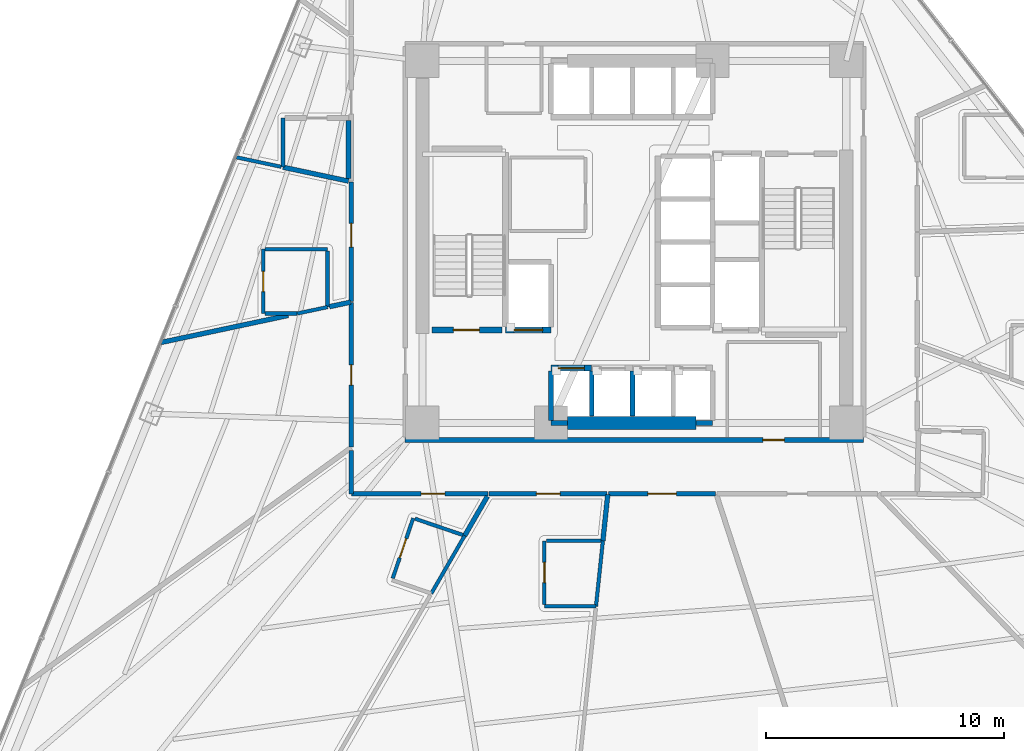
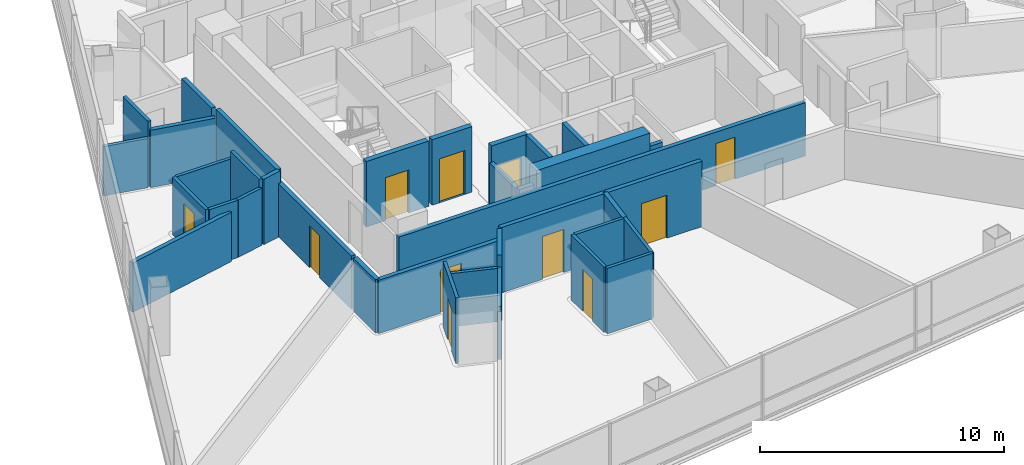
# One storey, part 7 of 15: 36 walls, 12 doors, 12 openings.
"""IFC4 building model written with IfcOpenShell, lengths in metres."""

from ifc_helpers import new_model, si_unit, direction, frame, frame_2d, origin, place, context, subcontext, project, spatial, rectangle, extrude, material, layer, layer_set, type_object, element, fill, save


model = new_model("IFC4")

# Units and contexts
model_context = context("Model", 3, precision=1e-05, world=origin(), true_north=direction((0.0, 1.0)))
body_context = subcontext(model_context, "Body", "Model", "MODEL_VIEW")
ifc_project = project(units=[si_unit("LENGTHUNIT", "METRE"), si_unit("AREAUNIT", "SQUARE_METRE"), si_unit("VOLUMEUNIT", "CUBIC_METRE"), si_unit("PLANEANGLEUNIT", "RADIAN"), si_unit("MASSUNIT", "GRAM", prefix="KILO")], contexts=[model_context])

# Site, building, storey
site_placement = place(None, origin())
site = spatial("IfcSite", under=ifc_project, at=site_placement, CompositionType="ELEMENT")
building_placement = place(site_placement, origin())
building = spatial("IfcBuilding", under=site, at=building_placement, Name="Tharavind Bronze Gate", CompositionType="ELEMENT")
storey_placement = place(building_placement, frame((0.0, 0.0, 63.85009765625)))
storey = spatial("IfcBuildingStorey", under=building, at=storey_placement, Name="L15", CompositionType="ELEMENT", Elevation=63.85009765625)

# Wall, opening, door
ifc_material_1 = material(Name="Aerated Concrete Block", Category="concrete")
ifc_layer_1 = layer(ifc_material_1, 0.199951171875)
ifc_layer_set_1 = layer_set([ifc_layer_1], Name="Aerated Concrete Block")
wall_type_1 = type_object("IfcWallType", Name="FIRE RATED PARTITION 200", PredefinedType="PARTITIONING", material=ifc_layer_set_1)
wall_1_placement = place(storey_placement, frame((-9.6201171875, -8.320068359375, 0.0), z_axis=(0.0, 0.0, 1.0), x_axis=(1.0, 0.0, 0.0)))
wall_1 = element("IfcWall", 1, at=wall_1_placement, inside=storey, type_object=wall_type_1, Name="L15 south core corridor wall", PredefinedType="PARTITIONING", context=body_context, shape_type="SweptSolid", body=[
    extrude(rectangle(XDim=19.240234375, YDim=0.199951171875, at=frame_2d((9.6201171875, 0.0))), origin(), (0.0, 0.0, 1.0), 2.669921875),
])
opening_1_placement = place(wall_1_placement, frame((15.02001953125, 0.0, 0.0)))
opening_1 = element("IfcOpeningElement", 2, at=opening_1_placement, cuts=wall_1, Name="Opening ID07", PredefinedType="OPENING", context=body_context, shape_type="SweptSolid", body=[
    extrude(rectangle(XDim=0.89990234375, YDim=2.10009765625, at=frame_2d((0.449951171875, 1.050048828125))), frame((0.0, 0.11009765625, 0.0), z_axis=(0.0, -1.0, 0.0), x_axis=(1.0, 0.0, 0.0)), (0.0, 0.0, 1.0), 0.219951171875),
])
ifc_material_2 = material(Name="Galvanised Fire Steel", Category="steel")
door_type_1 = type_object("IfcDoorType", Name="PLANT AND RISER FIRE DOOR 900X2100", OperationType="SINGLE_SWING_LEFT", PredefinedType="DOOR", material=ifc_material_2)
door_1_placement = place(opening_1_placement, origin())
door_1 = element("IfcDoor", 3, at=door_1_placement, inside=storey, type_object=door_type_1, Name="L15 Telecom Metering Room fire door", OperationType="SINGLE_SWING_LEFT", OverallHeight=2.10009765625, OverallWidth=0.89990234375, PredefinedType="DOOR", context=body_context, shape_type="SweptSolid", body=[
    extrude(rectangle(XDim=0.89990234375, YDim=2.10009765625, at=frame_2d((0.449951171875, 1.050048828125))), frame((0.0, 0.02490234375, 0.0), z_axis=(0.0, -1.0, 0.0), x_axis=(1.0, 0.0, 0.0)), (0.0, 0.0, 1.0), 0.050048828125),
])
fill(opening_1, door_1)

# Walls
wall_2_placement = place(storey_placement, frame((-12.0, 2.55078125, 0.0), z_axis=(0.0, 0.0, 1.0), x_axis=(-0.978151787969, 0.207891990447, 0.0)))
element("IfcWall", 4, at=wall_2_placement, inside=storey, type_object=wall_type_1, Name="L15 En-Suite Bathroom partition", PredefinedType="PARTITIONING", context=body_context, shape_type="SweptSolid", body=[
    extrude(rectangle(XDim=2.8115234375, YDim=0.199951171875, at=frame_2d((1.40576171875, 0.0))), origin(), (0.0, 0.0, 1.0), 2.869873046875),
])
wall_3_placement = place(storey_placement, frame((-12.0, 5.095703125, 0.0), z_axis=(0.0, 0.0, 1.0), x_axis=(0.0, -1.0, 0.0)))
element("IfcWall", 5, at=wall_3_placement, inside=storey, type_object=wall_type_1, Name="L15 En-Suite Bathroom partition", PredefinedType="PARTITIONING", context=body_context, shape_type="SweptSolid", body=[
    extrude(rectangle(XDim=2.437744140625, YDim=0.199951171875, at=frame_2d((1.21875, 0.0))), origin(), (0.0, 0.0, 1.0), 3.27490234375),
])
wall_4_placement = place(storey_placement, frame((-19.869873046875, -4.223388671875, 0.0), z_axis=(0.0, 0.0, 1.0), x_axis=(0.978154530451, 0.20787908639, 0.0)))
element("IfcWall", 6, at=wall_4_placement, inside=storey, type_object=wall_type_1, Name="L15 Public Restrooms Block partition", PredefinedType="PARTITIONING", context=body_context, shape_type="SweptSolid", body=[
    extrude(rectangle(XDim=5.45751953125, YDim=0.199951171875, at=frame_2d((2.728759765625, 0.0))), origin(), (0.0, 0.0, 1.0), 2.469970703125),
])
wall_5_placement = place(storey_placement, frame((-12.80126953125, -2.720947265625, 0.0), z_axis=(0.0, 0.0, 1.0), x_axis=(0.978138413931, 0.207954906633, 0.0)))
element("IfcWall", 7, at=wall_5_placement, inside=storey, type_object=wall_type_1, Name="L15 Public Restrooms Block partition", PredefinedType="PARTITIONING", context=body_context, shape_type="SweptSolid", body=[
    extrude(rectangle(XDim=0.9111328125, YDim=0.199951171875, at=frame_2d((0.45556640625, 0.0))), origin(), (0.0, 0.0, 1.0), 3.27490234375),
])

# Wall, opening, door
wall_6_placement = place(storey_placement, frame((-11.8798828125, -2.555908203125, 0.0), z_axis=(0.0, 0.0, 1.0), x_axis=(0.0, -1.0, 0.0)))
wall_6 = element("IfcWall", 8, at=wall_6_placement, inside=storey, type_object=wall_type_1, Name="L15 Public Restrooms Block partition", PredefinedType="PARTITIONING", context=body_context, shape_type="SweptSolid", body=[
    extrude(rectangle(XDim=6.062744140625, YDim=0.199951171875, at=frame_2d((3.03125, 0.0))), origin(), (0.0, 0.0, 1.0), 2.669921875),
])
opening_2_placement = place(wall_6_placement, frame((2.60595703125, 0.0, 0.0)))
opening_2 = element("IfcOpeningElement", 9, at=opening_2_placement, cuts=wall_6, Name="Opening ID06", PredefinedType="OPENING", context=body_context, shape_type="SweptSolid", body=[
    extrude(rectangle(XDim=0.85009765625, YDim=2.10009765625, at=frame_2d((0.425048828125, 1.050048828125))), frame((0.0, 0.11009765625, 0.0), z_axis=(0.0, -1.0, 0.0), x_axis=(1.0, 0.0, 0.0)), (0.0, 0.0, 1.0), 0.219951171875),
])
ifc_material_3 = material(Name="Moisture-Resistant Timber", Category="wood")
door_type_2 = type_object("IfcDoorType", Name="BATHROOM PRIVACY DOOR 850X2100", OperationType="SINGLE_SWING_RIGHT", PredefinedType="DOOR", material=ifc_material_3)
door_2_placement = place(opening_2_placement, origin())
door_2 = element("IfcDoor", 10, at=door_2_placement, inside=storey, type_object=door_type_2, Name="L15 Public Restrooms Block door", OperationType="SINGLE_SWING_RIGHT", OverallHeight=2.10009765625, OverallWidth=0.85009765625, PredefinedType="DOOR", context=body_context, shape_type="SweptSolid", body=[
    extrude(rectangle(XDim=0.85009765625, YDim=2.10009765625, at=frame_2d((0.425048828125, 1.050048828125))), frame((0.0, 0.02490234375, 0.0), z_axis=(0.0, -1.0, 0.0), x_axis=(1.0, 0.0, 0.0)), (0.0, 0.0, 1.0), 0.050048828125),
])
fill(opening_2, door_2)

wall_7_placement = place(storey_placement, frame((-11.8798828125, 2.5048828125, 0.0), z_axis=(0.0, 0.0, 1.0), x_axis=(0.0, -1.0, 0.0)))
wall_7 = element("IfcWall", 11, at=wall_7_placement, inside=storey, type_object=wall_type_1, Name="L15 Corner Hotel Suite partition", PredefinedType="PARTITIONING", context=body_context, shape_type="SweptSolid", body=[
    extrude(rectangle(XDim=5.009765625, YDim=0.199951171875, at=frame_2d((2.5048828125, 0.0))), origin(), (0.0, 0.0, 1.0), 3.27490234375),
])
opening_3_placement = place(wall_7_placement, frame((1.72509765625, 0.0, 0.0)))
opening_3 = element("IfcOpeningElement", 12, at=opening_3_placement, cuts=wall_7, Name="Opening ID03", PredefinedType="OPENING", context=body_context, shape_type="SweptSolid", body=[
    extrude(rectangle(XDim=1.0, YDim=2.14990234375, at=frame_2d((0.5, 1.074951171875))), frame((0.0, 0.11009765625, 0.0), z_axis=(0.0, -1.0, 0.0), x_axis=(1.0, 0.0, 0.0)), (0.0, 0.0, 1.0), 0.219951171875),
])
ifc_material_4 = material(Name="Solid Timber Veneer", Category="wood")
door_type_3 = type_object("IfcDoorType", Name="HOTEL SUITE ENTRANCE DOOR 1000X2150", OperationType="SINGLE_SWING_LEFT", PredefinedType="DOOR", material=ifc_material_4)
door_3_placement = place(opening_3_placement, origin())
door_3 = element("IfcDoor", 13, at=door_3_placement, inside=storey, type_object=door_type_3, Name="L15 Corner Hotel Suite door", OperationType="SINGLE_SWING_LEFT", OverallHeight=2.14990234375, OverallWidth=1.0, PredefinedType="DOOR", context=body_context, shape_type="SweptSolid", body=[
    extrude(rectangle(XDim=1.0, YDim=2.14990234375, at=frame_2d((0.5, 1.074951171875))), frame((0.0, 0.02490234375, 0.0), z_axis=(0.0, -1.0, 0.0), x_axis=(1.0, 0.0, 0.0)), (0.0, 0.0, 1.0), 0.050048828125),
])
fill(opening_3, door_3)

# Wall
wall_8_placement = place(storey_placement, frame((-11.8798828125, -8.760986328125, 0.0), z_axis=(0.0, 0.0, 1.0), x_axis=(0.0, -1.0, 0.0)))
element("IfcWall", 14, at=wall_8_placement, inside=storey, type_object=wall_type_1, Name="L15 Deluxe Hotel Suite partition", PredefinedType="PARTITIONING", context=body_context, shape_type="SweptSolid", body=[
    extrude(rectangle(XDim=1.818359375, YDim=0.199951171875, at=frame_2d((0.9091796875, 0.0))), origin(), (0.0, 0.0, 1.0), 2.669921875),
])

# Wall, opening, door
wall_9_placement = place(storey_placement, frame((-11.87939453125, -10.580078125, 0.0), z_axis=(0.0, 0.0, 1.0), x_axis=(1.0, 0.0, 0.0)))
wall_9 = element("IfcWall", 15, at=wall_9_placement, inside=storey, type_object=wall_type_1, Name="L15 Deluxe Hotel Suite partition", PredefinedType="PARTITIONING", context=body_context, shape_type="SweptSolid", body=[
    extrude(rectangle(XDim=5.727783203125, YDim=0.199951171875, at=frame_2d((2.86376953125, 0.0))), origin(), (0.0, 0.0, 1.0), 2.669921875),
])
opening_4_placement = place(wall_9_placement, frame((2.924072265625, 0.0, 0.0)))
opening_4 = element("IfcOpeningElement", 16, at=opening_4_placement, cuts=wall_9, Name="Opening ID03", PredefinedType="OPENING", context=body_context, shape_type="SweptSolid", body=[
    extrude(rectangle(XDim=1.0, YDim=2.14990234375, at=frame_2d((0.5, 1.074951171875))), frame((0.0, 0.11009765625, 0.0), z_axis=(0.0, -1.0, 0.0), x_axis=(1.0, 0.0, 0.0)), (0.0, 0.0, 1.0), 0.219951171875),
])
door_4_placement = place(opening_4_placement, origin())
door_4 = element("IfcDoor", 17, at=door_4_placement, inside=storey, type_object=door_type_3, Name="L15 Deluxe Hotel Suite door", OperationType="SINGLE_SWING_LEFT", OverallHeight=2.14990234375, OverallWidth=1.0, PredefinedType="DOOR", context=body_context, shape_type="SweptSolid", body=[
    extrude(rectangle(XDim=1.0, YDim=2.14990234375, at=frame_2d((0.5, 1.074951171875))), frame((0.0, 0.02490234375, 0.0), z_axis=(0.0, -1.0, 0.0), x_axis=(1.0, 0.0, 0.0)), (0.0, 0.0, 1.0), 0.050048828125),
])
fill(opening_4, door_4)

# Wall
wall_10_placement = place(storey_placement, frame((-6.1689453125, -10.68505859375, 0.0), z_axis=(0.0, 0.0, 1.0), x_axis=(-0.500029664053, -0.866008276558, 0.0)))
element("IfcWall", 18, at=wall_10_placement, inside=storey, type_object=wall_type_1, Name="L15 Deluxe Hotel Suite partition", PredefinedType="PARTITIONING", context=body_context, shape_type="SweptSolid", body=[
    extrude(rectangle(XDim=1.9033203125, YDim=0.199951171875, at=frame_2d((0.95166015625, 0.0))), origin(), (0.0, 0.0, 1.0), 3.27490234375),
])

# Wall, opening, door
wall_11_placement = place(storey_placement, frame((-6.093994140625, -10.580078125, 0.0), z_axis=(0.0, 0.0, 1.0), x_axis=(1.0, 0.0, 0.0)))
wall_11 = element("IfcWall", 19, at=wall_11_placement, inside=storey, type_object=wall_type_1, Name="L15 Deluxe Hotel Suite partition", PredefinedType="PARTITIONING", context=body_context, shape_type="SweptSolid", body=[
    extrude(rectangle(XDim=4.9541015625, YDim=0.199951171875, at=frame_2d((2.47705078125, 0.0))), origin(), (0.0, 0.0, 1.0), 3.27490234375),
])
opening_5_placement = place(wall_11_placement, frame((1.97705078125, 0.0, 0.0)))
opening_5 = element("IfcOpeningElement", 20, at=opening_5_placement, cuts=wall_11, Name="Opening ID03", PredefinedType="OPENING", context=body_context, shape_type="SweptSolid", body=[
    extrude(rectangle(XDim=1.0, YDim=2.14990234375, at=frame_2d((0.5, 1.074951171875))), frame((0.0, 0.11009765625, 0.0), z_axis=(0.0, -1.0, 0.0), x_axis=(1.0, 0.0, 0.0)), (0.0, 0.0, 1.0), 0.219951171875),
])
door_5_placement = place(opening_5_placement, origin())
door_5 = element("IfcDoor", 21, at=door_5_placement, inside=storey, type_object=door_type_3, Name="L15 Deluxe Hotel Suite door", OperationType="SINGLE_SWING_LEFT", OverallHeight=2.14990234375, OverallWidth=1.0, PredefinedType="DOOR", context=body_context, shape_type="SweptSolid", body=[
    extrude(rectangle(XDim=1.0, YDim=2.14990234375, at=frame_2d((0.5, 1.074951171875))), frame((0.0, 0.02490234375, 0.0), z_axis=(0.0, -1.0, 0.0), x_axis=(1.0, 0.0, 0.0)), (0.0, 0.0, 1.0), 0.050048828125),
])
fill(opening_5, door_5)

# Wall
wall_12_placement = place(storey_placement, frame((-1.114990234375, -10.607666015625, 0.0), z_axis=(0.0, 0.0, 1.0), x_axis=(-0.104502586471, -0.994524614789, 0.0)))
element("IfcWall", 22, at=wall_12_placement, inside=storey, type_object=wall_type_1, Name="L15 Deluxe Hotel Suite partition", PredefinedType="PARTITIONING", context=body_context, shape_type="SweptSolid", body=[
    extrude(rectangle(XDim=1.953125, YDim=0.199951171875, at=frame_2d((0.9765625, 0.0))), origin(), (0.0, 0.0, 1.0), 3.27490234375),
])

# Wall, opening, door
wall_13_placement = place(storey_placement, frame((-1.089599609375, -10.580078125, 0.0), z_axis=(0.0, 0.0, 1.0), x_axis=(1.0, 0.0, 0.0)))
wall_13 = element("IfcWall", 23, at=wall_13_placement, inside=storey, type_object=wall_type_1, Name="L15 Hotel Guest Lounge partition", PredefinedType="PARTITIONING", context=body_context, shape_type="SweptSolid", body=[
    extrude(rectangle(XDim=4.509033203125, YDim=0.199951171875, at=frame_2d((2.25439453125, 0.0))), origin(), (0.0, 0.0, 1.0), 3.27490234375),
])
opening_6_placement = place(wall_13_placement, frame((1.655029296875, 0.0, 0.0)))
opening_6 = element("IfcOpeningElement", 24, at=opening_6_placement, cuts=wall_13, Name="Opening ID05", PredefinedType="OPENING", context=body_context, shape_type="SweptSolid", body=[
    extrude(rectangle(XDim=1.199951171875, YDim=2.14990234375, at=frame_2d((0.60009765625, 1.074951171875))), frame((0.0, 0.11009765625, 0.0), z_axis=(0.0, -1.0, 0.0), x_axis=(1.0, 0.0, 0.0)), (0.0, 0.0, 1.0), 0.219951171875),
])
ifc_material_5 = material(Name="Acoustic Laminated Glass", Category="glass")
door_type_4 = type_object("IfcDoorType", Name="MEETING ROOM GLAZED DOOR 1200X2150", OperationType="SINGLE_SWING_LEFT", PredefinedType="DOOR", material=ifc_material_5)
door_6_placement = place(opening_6_placement, origin())
door_6 = element("IfcDoor", 25, at=door_6_placement, inside=storey, type_object=door_type_4, Name="L15 Hotel Guest Lounge door", OperationType="SINGLE_SWING_LEFT", OverallHeight=2.14990234375, OverallWidth=1.199951171875, PredefinedType="DOOR", context=body_context, shape_type="SweptSolid", body=[
    extrude(rectangle(XDim=1.199951171875, YDim=2.14990234375, at=frame_2d((0.60009765625, 1.074951171875))), frame((0.0, 0.02490234375, 0.0), z_axis=(0.0, -1.0, 0.0), x_axis=(1.0, 0.0, 0.0)), (0.0, 0.0, 1.0), 0.050048828125),
])
fill(opening_6, door_6)

# Wall
ifc_material_6 = material(Name="Twin Stud Acoustic Gypsum", Category="gypsum")
ifc_layer_2 = layer(ifc_material_6, 0.14990234375)
ifc_layer_set_2 = layer_set([ifc_layer_2], Name="Twin Stud Acoustic Gypsum")
wall_type_2 = type_object("IfcWallType", Name="INTERIOR PARTITION WALL 150", PredefinedType="PARTITIONING", material=ifc_layer_set_2)
wall_14_placement = place(storey_placement, frame((-14.75, 3.13525390625, 0.0), z_axis=(0.0, 0.0, 1.0), x_axis=(0.0, 1.0, 0.0)))
element("IfcWall", 26, at=wall_14_placement, inside=storey, type_object=wall_type_2, Name="L15 En-Suite Bathroom partition", PredefinedType="PARTITIONING", context=body_context, shape_type="SweptSolid", body=[
    extrude(rectangle(XDim=2.0654296875, YDim=0.14990234375, at=frame_2d((1.03271484375, 0.0))), origin(), (0.0, 0.0, 1.0), 3.27490234375),
])

# Wall, opening, door
wall_15_placement = place(storey_placement, frame((-15.581298828125, -3.0087890625, 0.0), z_axis=(0.0, 0.0, 1.0), x_axis=(0.0, 1.0, 0.0)))
wall_15 = element("IfcWall", 27, at=wall_15_placement, inside=storey, type_object=wall_type_2, Name="L15 En-Suite Bathroom partition", PredefinedType="PARTITIONING", context=body_context, shape_type="SweptSolid", body=[
    extrude(rectangle(XDim=2.699951171875, YDim=0.14990234375, at=frame_2d((1.35009765625, 0.0))), origin(), (0.0, 0.0, 1.0), 2.869873046875),
])
opening_7_placement = place(wall_15_placement, frame((0.925048828125, 0.0, 0.0)))
opening_7 = element("IfcOpeningElement", 28, at=opening_7_placement, cuts=wall_15, Name="Opening ID06", PredefinedType="OPENING", context=body_context, shape_type="SweptSolid", body=[
    extrude(rectangle(XDim=0.85009765625, YDim=2.10009765625, at=frame_2d((0.425048828125, 1.050048828125))), frame((0.0, 0.084951171875, 0.0), z_axis=(0.0, -1.0, 0.0), x_axis=(1.0, 0.0, 0.0)), (0.0, 0.0, 1.0), 0.16990234375),
])
door_7_placement = place(opening_7_placement, origin())
door_7 = element("IfcDoor", 29, at=door_7_placement, inside=storey, type_object=door_type_2, Name="L15 En-Suite Bathroom door", OperationType="SINGLE_SWING_RIGHT", OverallHeight=2.10009765625, OverallWidth=0.85009765625, PredefinedType="DOOR", context=body_context, shape_type="SweptSolid", body=[
    extrude(rectangle(XDim=0.85009765625, YDim=2.10009765625, at=frame_2d((0.425048828125, 1.050048828125))), frame((0.0, 0.02490234375, 0.0), z_axis=(0.0, -1.0, 0.0), x_axis=(1.0, 0.0, 0.0)), (0.0, 0.0, 1.0), 0.050048828125),
])
fill(opening_7, door_7)

# Walls
wall_16_placement = place(storey_placement, frame((-15.501220703125, -0.308837890625, 0.0), z_axis=(0.0, 0.0, 1.0), x_axis=(1.0, 0.0, 0.0)))
element("IfcWall", 30, at=wall_16_placement, inside=storey, type_object=wall_type_2, Name="L15 En-Suite Bathroom partition", PredefinedType="PARTITIONING", context=body_context, shape_type="SweptSolid", body=[
    extrude(rectangle(XDim=2.619873046875, YDim=0.14990234375, at=frame_2d((1.31005859375, 0.0))), origin(), (0.0, 0.0, 1.0), 2.869873046875),
])
wall_17_placement = place(storey_placement, frame((-12.88134765625, -0.388916015625, 0.0), z_axis=(0.0, 0.0, 1.0), x_axis=(0.0, -1.0, 0.0)))
element("IfcWall", 31, at=wall_17_placement, inside=storey, type_object=wall_type_2, Name="L15 En-Suite Bathroom partition", PredefinedType="PARTITIONING", context=body_context, shape_type="SweptSolid", body=[
    extrude(rectangle(XDim=2.34912109375, YDim=0.14990234375, at=frame_2d((1.174560546875, 0.0))), origin(), (0.0, 0.0, 1.0), 3.27490234375),
])
wall_18_placement = place(storey_placement, frame((-12.88134765625, -2.738037109375, 0.0), z_axis=(0.0, 0.0, 1.0), x_axis=(-0.978144076716, -0.207928269327, 0.0)))
element("IfcWall", 32, at=wall_18_placement, inside=storey, type_object=wall_type_2, Name="L15 En-Suite Bathroom partition", PredefinedType="PARTITIONING", context=body_context, shape_type="SweptSolid", body=[
    extrude(rectangle(XDim=1.30224609375, YDim=0.14990234375, at=frame_2d((0.651123046875, 0.0))), origin(), (0.0, 0.0, 1.0), 2.869873046875),
])
wall_19_placement = place(storey_placement, frame((-14.155029296875, -3.0087890625, 0.0), z_axis=(0.0, 0.0, 1.0), x_axis=(-1.0, 0.0, 0.0)))
element("IfcWall", 33, at=wall_19_placement, inside=storey, type_object=wall_type_2, Name="L15 En-Suite Bathroom partition", PredefinedType="PARTITIONING", context=body_context, shape_type="SweptSolid", body=[
    extrude(rectangle(XDim=1.34619140625, YDim=0.14990234375, at=frame_2d((0.673095703125, 0.0))), origin(), (0.0, 0.0, 1.0), 2.869873046875),
])
wall_20_placement = place(storey_placement, frame((-7.12060546875, -12.333251953125, 0.0), z_axis=(0.0, 0.0, 1.0), x_axis=(-0.499988825533, -0.86603185527, 0.0)))
element("IfcWall", 34, at=wall_20_placement, inside=storey, type_object=wall_type_2, Name="L15 En-Suite Bathroom partition", PredefinedType="PARTITIONING", context=body_context, shape_type="SweptSolid", body=[
    extrude(rectangle(XDim=2.80322265625, YDim=0.14990234375, at=frame_2d((1.401611328125, 0.0))), origin(), (0.0, 0.0, 1.0), 2.669921875),
])

# Wall, opening, door
wall_21_placement = place(storey_placement, frame((-10.142578125, -14.125244140625, 0.0), z_axis=(0.0, 0.0, 1.0), x_axis=(0.322146980742, 0.946689665518, 0.0)))
wall_21 = element("IfcWall", 35, at=wall_21_placement, inside=storey, type_object=wall_type_2, Name="L15 En-Suite Bathroom partition", PredefinedType="PARTITIONING", context=body_context, shape_type="SweptSolid", body=[
    extrude(rectangle(XDim=2.669921875, YDim=0.14990234375, at=frame_2d((1.3349609375, 0.0))), origin(), (0.0, 0.0, 1.0), 3.27490234375),
])
opening_8_placement = place(wall_21_placement, frame((0.909912109375, 0.0, 0.0)))
opening_8 = element("IfcOpeningElement", 36, at=opening_8_placement, cuts=wall_21, Name="Opening ID06", PredefinedType="OPENING", context=body_context, shape_type="SweptSolid", body=[
    extrude(rectangle(XDim=0.85009765625, YDim=2.10009765625, at=frame_2d((0.425048828125, 1.050048828125))), frame((0.0, 0.084951171875, 0.0), z_axis=(0.0, -1.0, 0.0), x_axis=(1.0, 0.0, 0.0)), (0.0, 0.0, 1.0), 0.16990234375),
])
door_8_placement = place(opening_8_placement, origin())
door_8 = element("IfcDoor", 37, at=door_8_placement, inside=storey, type_object=door_type_2, Name="L15 En-Suite Bathroom door", OperationType="SINGLE_SWING_RIGHT", OverallHeight=2.10009765625, OverallWidth=0.85009765625, PredefinedType="DOOR", context=body_context, shape_type="SweptSolid", body=[
    extrude(rectangle(XDim=0.85009765625, YDim=2.10009765625, at=frame_2d((0.425048828125, 1.050048828125))), frame((0.0, 0.02490234375, 0.0), z_axis=(0.0, -1.0, 0.0), x_axis=(1.0, 0.0, 0.0)), (0.0, 0.0, 1.0), 0.050048828125),
])
fill(opening_8, door_8)

# Walls
wall_22_placement = place(storey_placement, frame((-9.206787109375, -11.623291015625, 0.0), z_axis=(0.0, 0.0, 1.0), x_axis=(0.946697686769, -0.32212340782, 0.0)))
element("IfcWall", 38, at=wall_22_placement, inside=storey, type_object=wall_type_2, Name="L15 En-Suite Bathroom partition", PredefinedType="PARTITIONING", context=body_context, shape_type="SweptSolid", body=[
    extrude(rectangle(XDim=2.1220703125, YDim=0.14990234375, at=frame_2d((1.06103515625, 0.0))), origin(), (0.0, 0.0, 1.0), 2.669921875),
])
wall_23_placement = place(storey_placement, frame((-1.319091796875, -12.550048828125, 0.0), z_axis=(0.0, 0.0, 1.0), x_axis=(-0.104537710696, -0.994520923381, 0.0)))
element("IfcWall", 39, at=wall_23_placement, inside=storey, type_object=wall_type_2, Name="L15 En-Suite Bathroom partition", PredefinedType="PARTITIONING", context=body_context, shape_type="SweptSolid", body=[
    extrude(rectangle(XDim=2.76513671875, YDim=0.14990234375, at=frame_2d((1.382568359375, 0.0))), origin(), (0.0, 0.0, 1.0), 3.27490234375),
])
wall_24_placement = place(storey_placement, frame((-1.608154296875, -15.300048828125, 0.0), z_axis=(0.0, 0.0, 1.0), x_axis=(-1.0, 0.0, 0.0)))
element("IfcWall", 40, at=wall_24_placement, inside=storey, type_object=wall_type_2, Name="L15 En-Suite Bathroom partition", PredefinedType="PARTITIONING", context=body_context, shape_type="SweptSolid", body=[
    extrude(rectangle(XDim=2.16650390625, YDim=0.14990234375, at=frame_2d((1.083251953125, 0.0))), origin(), (0.0, 0.0, 1.0), 3.27490234375),
])

# Wall, opening, door
wall_25_placement = place(storey_placement, frame((-3.774658203125, -15.219970703125, 0.0), z_axis=(0.0, 0.0, 1.0), x_axis=(0.0, 1.0, 0.0)))
wall_25 = element("IfcWall", 41, at=wall_25_placement, inside=storey, type_object=wall_type_2, Name="L15 En-Suite Bathroom partition", PredefinedType="PARTITIONING", context=body_context, shape_type="SweptSolid", body=[
    extrude(rectangle(XDim=2.669921875, YDim=0.14990234375, at=frame_2d((1.3349609375, 0.0))), origin(), (0.0, 0.0, 1.0), 3.27490234375),
])
opening_9_placement = place(wall_25_placement, frame((0.909912109375, 0.0, 0.0)))
opening_9 = element("IfcOpeningElement", 42, at=opening_9_placement, cuts=wall_25, Name="Opening ID06", PredefinedType="OPENING", context=body_context, shape_type="SweptSolid", body=[
    extrude(rectangle(XDim=0.85009765625, YDim=2.10009765625, at=frame_2d((0.425048828125, 1.050048828125))), frame((0.0, 0.084951171875, 0.0), z_axis=(0.0, -1.0, 0.0), x_axis=(1.0, 0.0, 0.0)), (0.0, 0.0, 1.0), 0.16990234375),
])
door_9_placement = place(opening_9_placement, origin())
door_9 = element("IfcDoor", 43, at=door_9_placement, inside=storey, type_object=door_type_2, Name="L15 En-Suite Bathroom door", OperationType="SINGLE_SWING_RIGHT", OverallHeight=2.10009765625, OverallWidth=0.85009765625, PredefinedType="DOOR", context=body_context, shape_type="SweptSolid", body=[
    extrude(rectangle(XDim=0.85009765625, YDim=2.10009765625, at=frame_2d((0.425048828125, 1.050048828125))), frame((0.0, 0.02490234375, 0.0), z_axis=(0.0, -1.0, 0.0), x_axis=(1.0, 0.0, 0.0)), (0.0, 0.0, 1.0), 0.050048828125),
])
fill(opening_9, door_9)

# Walls
wall_26_placement = place(storey_placement, frame((-3.694580078125, -12.550048828125, 0.0), z_axis=(0.0, 0.0, 1.0), x_axis=(1.0, 0.0, 0.0)))
element("IfcWall", 44, at=wall_26_placement, inside=storey, type_object=wall_type_2, Name="L15 En-Suite Bathroom partition", PredefinedType="PARTITIONING", context=body_context, shape_type="SweptSolid", body=[
    extrude(rectangle(XDim=2.295166015625, YDim=0.14990234375, at=frame_2d((1.1474609375, 0.0))), origin(), (0.0, 0.0, 1.0), 3.27490234375),
])
wall_27_placement = place(storey_placement, frame((-14.830078125, 3.152099609375, 0.0), z_axis=(0.0, 0.0, 1.0), x_axis=(-0.978137847221, 0.207957572197, 0.0)))
element("IfcWall", 45, at=wall_27_placement, inside=storey, type_object=wall_type_2, Name="L15 Hotel Guest Room partition", PredefinedType="PARTITIONING", context=body_context, shape_type="SweptSolid", body=[
    extrude(rectangle(XDim=1.920654296875, YDim=0.14990234375, at=frame_2d((0.96044921875, 0.0))), origin(), (0.0, 0.0, 1.0), 2.469970703125),
])

# Wall, opening, door
ifc_material_7 = material(Name="Concrete C50/60", Category="concrete")
ifc_layer_3 = layer(ifc_material_7, 0.25)
ifc_layer_set_3 = layer_set([ifc_layer_3], Name="Concrete C50/60")
wall_type_3 = type_object("IfcWallType", Name="RC CORE SHEAR WALL 250", PredefinedType="SHEAR", material=ifc_layer_set_3)
wall_28_placement = place(storey_placement, frame((-8.5, -3.699951171875, 0.0), z_axis=(0.0, 0.0, 1.0), x_axis=(1.0, 0.0, 0.0)))
wall_28 = element("IfcWall", 46, at=wall_28_placement, inside=storey, type_object=wall_type_3, Name="L15 ST1 shaft south wall", PredefinedType="SHEAR", context=body_context, shape_type="SweptSolid", body=[
    extrude(rectangle(XDim=2.949951171875, YDim=0.25, at=frame_2d((1.47509765625, 0.0))), origin(), (0.0, 0.0, 1.0), 3.27490234375),
])
opening_10_placement = place(wall_28_placement, frame((0.89990234375, 0.0, 0.0)))
opening_10 = element("IfcOpeningElement", 47, at=opening_10_placement, cuts=wall_28, Name="Opening ID01", PredefinedType="OPENING", context=body_context, shape_type="SweptSolid", body=[
    extrude(rectangle(XDim=1.10009765625, YDim=2.14990234375, at=frame_2d((0.550048828125, 1.074951171875))), frame((0.0, 0.135, 0.0), z_axis=(0.0, -1.0, 0.0), x_axis=(1.0, 0.0, 0.0)), (0.0, 0.0, 1.0), 0.27),
])
ifc_material_8 = material(Name="Fire-Rated Steel", Category="steel")
door_type_5 = type_object("IfcDoorType", Name="STAIR CORE FIRE DOOR 1100X2150", OperationType="SINGLE_SWING_LEFT", PredefinedType="DOOR", material=ifc_material_8)
door_10_placement = place(opening_10_placement, origin())
door_10 = element("IfcDoor", 48, at=door_10_placement, inside=storey, type_object=door_type_5, Name="L15 exit stair ST1 fire door", OperationType="SINGLE_SWING_LEFT", OverallHeight=2.14990234375, OverallWidth=1.10009765625, PredefinedType="DOOR", context=body_context, shape_type="SweptSolid", body=[
    extrude(rectangle(XDim=1.10009765625, YDim=2.14990234375, at=frame_2d((0.550048828125, 1.074951171875))), frame((0.0, 0.02490234375, 0.0), z_axis=(0.0, -1.0, 0.0), x_axis=(1.0, 0.0, 0.0)), (0.0, 0.0, 1.0), 0.050048828125),
])
fill(opening_10, door_10)

wall_29_placement = place(storey_placement, frame((-3.5, -5.300048828125, 0.0), z_axis=(0.0, 0.0, 1.0), x_axis=(1.0, 0.0, 0.0)))
wall_29 = element("IfcWall", 49, at=wall_29_placement, inside=storey, type_object=wall_type_3, Name="L15 lift PL1 shaft front wall", PredefinedType="SHEAR", context=body_context, shape_type="SweptSolid", body=[
    extrude(rectangle(XDim=1.71240234375, YDim=0.25, at=frame_2d((0.856201171875, 0.0))), origin(), (0.0, 0.0, 1.0), 3.27490234375),
])
opening_11_placement = place(wall_29_placement, frame((0.305908203125, 0.0, 0.0)))
opening_11 = element("IfcOpeningElement", 50, at=opening_11_placement, cuts=wall_29, Name="Opening LD01", PredefinedType="OPENING", context=body_context, shape_type="SweptSolid", body=[
    extrude(rectangle(XDim=1.10009765625, YDim=2.199951171875, at=frame_2d((0.550048828125, 1.10009765625))), frame((0.0, 0.135, 0.0), z_axis=(0.0, -1.0, 0.0), x_axis=(1.0, 0.0, 0.0)), (0.0, 0.0, 1.0), 0.27),
])
ifc_material_9 = material(Name="Brushed Bronze Stainless Steel", Category="steel")
door_type_6 = type_object("IfcDoorType", Name="LIFT LANDING SLIDING DOOR 1100X2200", OperationType="SLIDING_TO_LEFT", PredefinedType="DOOR", material=ifc_material_9)
door_11_placement = place(opening_11_placement, origin())
door_11 = element("IfcDoor", 51, at=door_11_placement, inside=storey, type_object=door_type_6, Name="L15 lift PL1 sliding landing door", OperationType="SLIDING_TO_LEFT", OverallHeight=2.199951171875, OverallWidth=1.10009765625, PredefinedType="DOOR", context=body_context, shape_type="SweptSolid", body=[
    extrude(rectangle(XDim=1.10009765625, YDim=2.199951171875, at=frame_2d((0.550048828125, 1.10009765625))), frame((0.0, 0.02490234375, 0.0), z_axis=(0.0, -1.0, 0.0), x_axis=(1.0, 0.0, 0.0)), (0.0, 0.0, 1.0), 0.050048828125),
])
fill(opening_11, door_11)

wall_30_placement = place(storey_placement, frame((-5.39990234375, -3.699951171875, 0.0), z_axis=(0.0, 0.0, 1.0), x_axis=(1.0, 0.0, 0.0)))
wall_30 = element("IfcWall", 52, at=wall_30_placement, inside=storey, type_object=wall_type_3, Name="L15 lift FFL1 shaft front wall", PredefinedType="SHEAR", context=body_context, shape_type="SweptSolid", body=[
    extrude(rectangle(XDim=1.89990234375, YDim=0.25, at=frame_2d((0.949951171875, 0.0))), origin(), (0.0, 0.0, 1.0), 3.27490234375),
])
opening_12_placement = place(wall_30_placement, frame((0.35009765625, 0.0, 0.0)))
opening_12 = element("IfcOpeningElement", 53, at=opening_12_placement, cuts=wall_30, Name="Opening LD02", PredefinedType="OPENING", context=body_context, shape_type="SweptSolid", body=[
    extrude(rectangle(XDim=1.199951171875, YDim=2.199951171875, at=frame_2d((0.60009765625, 1.10009765625))), frame((0.0, 0.135, 0.0), z_axis=(0.0, -1.0, 0.0), x_axis=(1.0, 0.0, 0.0)), (0.0, 0.0, 1.0), 0.27),
])
ifc_material_10 = material(Name="Brushed Stainless Steel", Category="steel")
door_type_7 = type_object("IfcDoorType", Name="FIREFIGHTING LIFT LANDING DOOR 1200X2200", OperationType="SLIDING_TO_RIGHT", PredefinedType="DOOR", material=ifc_material_10)
door_12_placement = place(opening_12_placement, origin())
door_12 = element("IfcDoor", 54, at=door_12_placement, inside=storey, type_object=door_type_7, Name="L15 lift FFL1 sliding landing door", OperationType="SLIDING_TO_RIGHT", OverallHeight=2.199951171875, OverallWidth=1.199951171875, PredefinedType="DOOR", context=body_context, shape_type="SweptSolid", body=[
    extrude(rectangle(XDim=1.199951171875, YDim=2.199951171875, at=frame_2d((0.60009765625, 1.10009765625))), frame((0.0, 0.02490234375, 0.0), z_axis=(0.0, -1.0, 0.0), x_axis=(1.0, 0.0, 0.0)), (0.0, 0.0, 1.0), 0.050048828125),
])
fill(opening_12, door_12)

# Walls
ifc_material_11 = material(Name="Concrete C60/75", Category="concrete")
ifc_layer_4 = layer(ifc_material_11, 0.550048828125)
ifc_layer_set_4 = layer_set([ifc_layer_4], Name="Concrete C60/75")
wall_type_4 = type_object("IfcWallType", Name="RC CORE SHEAR WALL 550", PredefinedType="SHEAR", material=ifc_layer_set_4)
wall_31_placement = place(storey_placement, frame((-2.800048828125, -7.60009765625, 0.0), z_axis=(0.0, 0.0, 1.0), x_axis=(1.0, 0.0, 0.0)))
element("IfcWall", 55, at=wall_31_placement, inside=storey, type_object=wall_type_4, Name="L15 south core shear wall", PredefinedType="SHEAR", context=body_context, shape_type="SweptSolid", body=[
    extrude(rectangle(XDim=5.380126953125, YDim=0.550048828125, at=frame_2d((2.68994140625, 0.0))), origin(), (0.0, 0.0, 1.0), 3.27490234375),
])
ifc_material_12 = material(Name="Concrete C40/50", Category="concrete")
ifc_layer_5 = layer(ifc_material_12, 0.199951171875)
ifc_layer_set_5 = layer_set([ifc_layer_5], Name="Concrete C40/50")
wall_type_5 = type_object("IfcWallType", Name="SHAFT ENCLOSURE WALL 200", PredefinedType="PARTITIONING", material=ifc_layer_set_5)
wall_32_placement = place(storey_placement, frame((-3.5, -7.60009765625, 0.0), z_axis=(0.0, 0.0, 1.0), x_axis=(1.0, 0.0, 0.0)))
element("IfcWall", 56, at=wall_32_placement, inside=storey, type_object=wall_type_5, Name="L15 lift PL1 shaft S enclosure wall", PredefinedType="PARTITIONING", context=body_context, shape_type="SweptSolid", body=[
    extrude(rectangle(XDim=0.699951171875, YDim=0.199951171875, at=frame_2d((0.35009765625, 0.0))), origin(), (0.0, 0.0, 1.0), 2.469970703125),
])
wall_33_placement = place(storey_placement, frame((-3.5, -7.4951171875, 0.0), z_axis=(0.0, 0.0, 1.0), x_axis=(0.0, 1.0, 0.0)))
element("IfcWall", 57, at=wall_33_placement, inside=storey, type_object=wall_type_5, Name="L15 lift PL1 shaft W enclosure wall", PredefinedType="PARTITIONING", context=body_context, shape_type="SweptSolid", body=[
    extrude(rectangle(XDim=2.065185546875, YDim=0.199951171875, at=frame_2d((1.03271484375, 0.0))), origin(), (0.0, 0.0, 1.0), 2.469970703125),
])
for number, where, z_axis, x_axis, name in (
    (58, (-1.78759765625, -7.320068359375, 0.0), (0.0, 0.0, 1.0), (0.0, 1.0, 0.0), "L15 lift PL1 shaft E enclosure wall"),
    (59, (-0.074951171875, -7.320068359375, 0.0), (0.0, 0.0, 1.0), (0.0, 1.0, 0.0), "L15 lift PL2 shaft E enclosure wall"),
):
    element("IfcWall", number, at=place(storey_placement, frame(where, z_axis=z_axis, x_axis=x_axis)), inside=storey, type_object=wall_type_5, Name=name, PredefinedType="PARTITIONING", context=body_context, shape_type="SweptSolid", body=[
        extrude(rectangle(XDim=1.89013671875, YDim=0.199951171875, at=frame_2d((0.945068359375, 0.0))), origin(), (0.0, 0.0, 1.0), 3.27490234375),
    ])
wall_34_placement = place(storey_placement, frame((2.580078125, -7.60009765625, 0.0), z_axis=(0.0, 0.0, 1.0), x_axis=(1.0, 0.0, 0.0)))
element("IfcWall", 60, at=wall_34_placement, inside=storey, type_object=wall_type_5, Name="L15 lift PL4 shaft S enclosure wall", PredefinedType="PARTITIONING", context=body_context, shape_type="SweptSolid", body=[
    extrude(rectangle(XDim=0.699951171875, YDim=0.199951171875, at=frame_2d((0.35009765625, 0.0))), origin(), (0.0, 0.0, 1.0), 2.469970703125),
])

save(model, "model.ifc")
